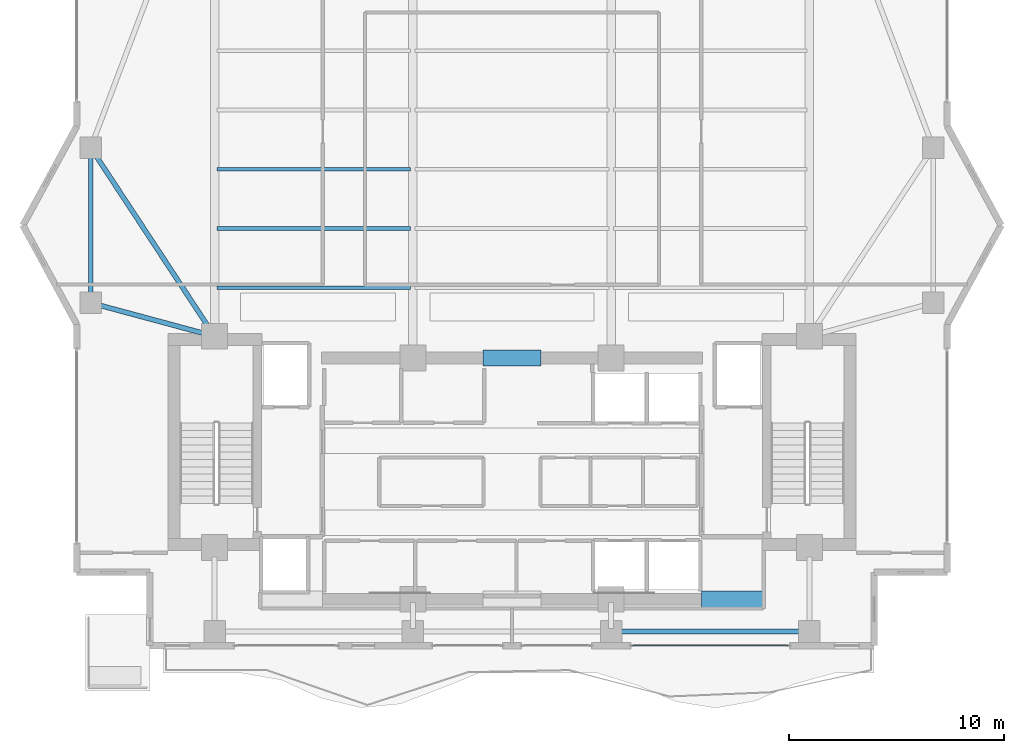
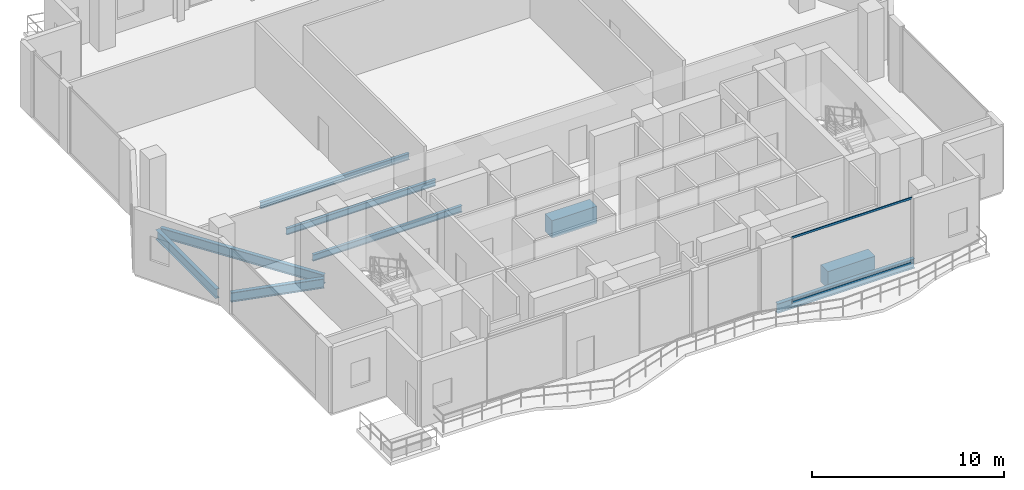
# One storey, part 5 of 24: 9 beams, 2 members, 1 element without a shape of its own.
"""IFC4 building model written with IfcOpenShell, lengths in metres."""

from ifc_helpers import new_model, si_unit, direction, frame, origin, origin_2d, place, context, subcontext, project, spatial, rectangle, hollow_rectangle, i_section, extrude, material, layer, layer_set, material_profile, profile_set, type_object, element, aggregate, save


model = new_model("IFC4")

# Units and contexts
model_context = context("Model", 3, precision=1e-05, world=origin(), true_north=direction((0.0, 1.0)))
body_context = subcontext(model_context, "Body", "Model", "MODEL_VIEW")
ifc_project = project(units=[si_unit("LENGTHUNIT", "METRE"), si_unit("AREAUNIT", "SQUARE_METRE"), si_unit("VOLUMEUNIT", "CUBIC_METRE"), si_unit("PLANEANGLEUNIT", "RADIAN"), si_unit("MASSUNIT", "GRAM", prefix="KILO")], contexts=[model_context])

# Site, building, storey
site_placement = place(None, origin())
site = spatial("IfcSite", under=ifc_project, at=site_placement, CompositionType="ELEMENT")
building_placement = place(site_placement, origin())
building = spatial("IfcBuilding", under=site, at=building_placement, Name="Zuhayl Quay Hotel", CompositionType="ELEMENT")
storey_placement = place(building_placement, frame((0.0, 0.0, 284.050048828125)))
storey = spatial("IfcBuildingStorey", under=building, at=storey_placement, Name="L72", CompositionType="ELEMENT", Elevation=284.050048828125)

# Beams
ifc_material_1 = material(Name="Steel ASTM A992 Grade 50", Category="steel")
ifc_material_profile_1 = material_profile(ifc_material_1, i_section(OverallWidth=0.22802734375, OverallDepth=0.60693359375, WebThickness=0.01123046875, FlangeThickness=0.017333984375, at=origin_2d()), Name="W24X76")
ifc_profile_set_1 = profile_set([ifc_material_profile_1], Name="Steel ASTM A992 Grade 50")
beam_type_1 = type_object("IfcBeamType", Name="BM_B3_W24X76", PredefinedType="BEAM", material=ifc_profile_set_1)
beam_1_placement = place(storey_placement, frame((5.06005859375, 0.64990234375, -0.5234375), z_axis=(1.0, 0.0, 0.0), x_axis=(0.0, 1.0, 0.0)))
element("IfcBeam", 1, at=beam_1_placement, inside=storey, type_object=beam_type_1, Name="L72 Floor Beam RG_L72_03", PredefinedType="BEAM", context=body_context, shape_type="SweptSolid", body=[
    extrude(i_section(OverallWidth=0.22802734375, OverallDepth=0.60693359375, WebThickness=0.01123046875, FlangeThickness=0.017333984375, at=origin_2d()), origin(), (0.0, 0.0, 1.0), 8.280029296875),
])
beam_2_placement = place(storey_placement, frame((-19.550048828125, 22.639892578125, -0.5234375), z_axis=(0.0, -1.0, 0.0), x_axis=(1.0, 0.0, 0.0)))
element("IfcBeam", 2, at=beam_2_placement, inside=storey, type_object=beam_type_1, Name="L72 Floor Beam RG_L72_11", PredefinedType="BEAM", context=body_context, shape_type="SweptSolid", body=[
    extrude(i_section(OverallWidth=0.22802734375, OverallDepth=0.60693359375, WebThickness=0.01123046875, FlangeThickness=0.017333984375, at=origin_2d()), origin(), (0.0, 0.0, 1.0), 6.27978515625),
])
beam_3_placement = place(storey_placement, frame((-19.10595703125, 15.7802734375, -0.5234375), z_axis=(0.965530205773, -0.26029103277, 0.0), x_axis=(0.26029103277, 0.965530205773, 0.0)))
element("IfcBeam", 3, at=beam_3_placement, inside=storey, type_object=beam_type_1, Name="L72 Floor Beam FG_W_L72_1", PredefinedType="BEAM", context=body_context, shape_type="SweptSolid", body=[
    extrude(i_section(OverallWidth=0.22802734375, OverallDepth=0.60693359375, WebThickness=0.01123046875, FlangeThickness=0.017333984375, at=origin_2d()), origin(), (0.0, 0.0, 1.0), 5.045166015625),
])
beam_4_placement = place(storey_placement, frame((-19.29736328125, 22.715576171875, -0.5234375), z_axis=(0.549177886661, -0.835705479701, 0.0), x_axis=(0.835705479701, 0.549177886661, 0.0)))
element("IfcBeam", 4, at=beam_4_placement, inside=storey, type_object=beam_type_1, Name="L72 Floor Beam FG_W_L72_2", PredefinedType="BEAM", context=body_context, shape_type="SweptSolid", body=[
    extrude(i_section(OverallWidth=0.22802734375, OverallDepth=0.60693359375, WebThickness=0.01123046875, FlangeThickness=0.017333984375, at=origin_2d()), origin(), (0.0, 0.0, 1.0), 9.560302734375),
])
ifc_material_2 = material(Name="Concrete C60/75", Category="concrete")
ifc_material_profile_2 = material_profile(ifc_material_2, rectangle(XDim=0.75, YDim=1.10009765625, at=origin_2d()), Name="RC750X1100")
ifc_profile_set_2 = profile_set([ifc_material_profile_2], Name="Concrete C60/75")
beam_type_2 = type_object("IfcBeamType", Name="BM_CB2_RC750", PredefinedType="T_BEAM", material=ifc_profile_set_2)
beam_5_placement = place(storey_placement, frame((8.800048828125, 2.14990234375, -0.77001953125), z_axis=(1.0, 0.0, 0.0), x_axis=(0.0, 1.0, 0.0)))
element("IfcBeam", 5, at=beam_5_placement, inside=storey, type_object=beam_type_2, Name="L72 Core Coupling Beam SE", PredefinedType="T_BEAM", context=body_context, shape_type="SweptSolid", body=[
    extrude(rectangle(XDim=0.75, YDim=1.10009765625, at=origin_2d()), origin(), (0.0, 0.0, 1.0), 2.849853515625),
])
beam_6_placement = place(storey_placement, frame((-1.35009765625, 13.35009765625, -0.77001953125), z_axis=(1.0, 0.0, 0.0), x_axis=(0.0, 1.0, 0.0)))
element("IfcBeam", 6, at=beam_6_placement, inside=storey, type_object=beam_type_2, Name="L72 Core Coupling Beam North", PredefinedType="T_BEAM", context=body_context, shape_type="SweptSolid", body=[
    extrude(rectangle(XDim=0.75, YDim=1.10009765625, at=origin_2d()), origin(), (0.0, 0.0, 1.0), 2.7001953125),
])
ifc_material_profile_3 = material_profile(ifc_material_1, i_section(OverallWidth=0.177978515625, OverallDepth=0.404052734375, WebThickness=0.007568359375, FlangeThickness=0.010986328125, at=origin_2d()), Name="W16X36")
ifc_profile_set_3 = profile_set([ifc_material_profile_3], Name="Steel ASTM A992 Grade 50")
beam_type_3 = type_object("IfcBeamType", Name="BM_J3_W16X36", PredefinedType="JOIST", material=ifc_profile_set_3)
for number, where, z_axis, x_axis, name in (
    (7, (-13.694091796875, 16.60009765625, -0.422119140625), (1.0, 0.0, 0.0), (0.0, 1.0, 0.0), "L72 Floor Beam FJ_L72_1_1"),
    (8, (-13.694091796875, 19.35009765625, -0.422119140625), (1.0, 0.0, 0.0), (0.0, 1.0, 0.0), "L72 Floor Beam FJ_L72_2_1"),
    (9, (-13.694091796875, 22.10009765625, -0.422119140625), (1.0, 0.0, 0.0), (0.0, 1.0, 0.0), "L72 Floor Beam FJ_L72_3_1"),
):
    element("IfcBeam", number, at=place(storey_placement, frame(where, z_axis=z_axis, x_axis=x_axis)), inside=storey, type_object=beam_type_3, Name=name, PredefinedType="JOIST", context=body_context, shape_type="SweptSolid", body=[
        extrude(i_section(OverallWidth=0.177978515625, OverallDepth=0.404052734375, WebThickness=0.007568359375, FlangeThickness=0.010986328125, at=origin_2d()), origin(), (0.0, 0.0, 1.0), 8.988037109375),
    ])

# Curtain wall, members
ifc_material_3 = material(Name="Anodised Aluminium 6063-T6", Category="aluminium")
ifc_layer = layer(ifc_material_3, 0.169921875, Name="Anodised Aluminium 6063-T6", Category="aluminium")
ifc_layer_set = layer_set([ifc_layer], Name="Anodised Aluminium 6063-T6")
curtain_wall_type = type_object("IfcCurtainWallType", Name="CW_SYS_Z4", PredefinedType="USERDEFINED", material=ifc_layer_set)
curtain_wall_placement = place(storey_placement, origin())
curtain_wall = element("IfcCurtainWall", 10, at=curtain_wall_placement, inside=storey, type_object=curtain_wall_type, Name="L72 Curtain Wall ENV_L72_S_CW1", ObjectType="UNITISED CURTAIN WALL", PredefinedType="USERDEFINED")
ifc_material_4 = material(Name="Black-anodised aluminium 6063-T6", Category="aluminium")
ifc_material_profile_4 = material_profile(ifc_material_4, hollow_rectangle(XDim=0.054931640625, YDim=0.1298828125, WallThickness=0.0029296875, at=origin_2d()), Name="ALU130X55")
ifc_profile_set_4 = profile_set([ifc_material_profile_4], Name="Black-anodised aluminium 6063-T6")
member_type = type_object("IfcMemberType", Name="MB_CW_TRN_130", PredefinedType="USERDEFINED", material=ifc_profile_set_4)
member_1_placement = place(storey_placement, frame((12.81494140625, 0.0, 0.02734375), z_axis=(-1.0, 0.0, 0.0), x_axis=(0.0, -1.0, 0.0)))
member_1 = element("IfcMember", 11, at=member_1_placement, type_object=member_type, Name="CW-Z4 transom 1.1", ObjectType="TRANSOM", PredefinedType="USERDEFINED", context=body_context, shape_type="SweptSolid", body=[
    extrude(hollow_rectangle(XDim=0.054931640625, YDim=0.1298828125, WallThickness=0.0029296875, at=origin_2d()), origin(), (0.0, 0.0, 1.0), 7.22998046875),
])
member_2_placement = place(storey_placement, frame((12.81494140625, 0.0, 4.15234375), z_axis=(-1.0, 0.0, 0.0), x_axis=(0.0, -1.0, 0.0)))
member_2 = element("IfcMember", 12, at=member_2_placement, type_object=member_type, Name="CW-Z4 transom 1.2", ObjectType="TRANSOM", PredefinedType="USERDEFINED", context=body_context, shape_type="SweptSolid", body=[
    extrude(hollow_rectangle(XDim=0.054931640625, YDim=0.1298828125, WallThickness=0.0029296875, at=origin_2d()), origin(), (0.0, 0.0, 1.0), 7.22998046875),
])
aggregate(curtain_wall, [member_1, member_2])

save(model, "model.ifc")
